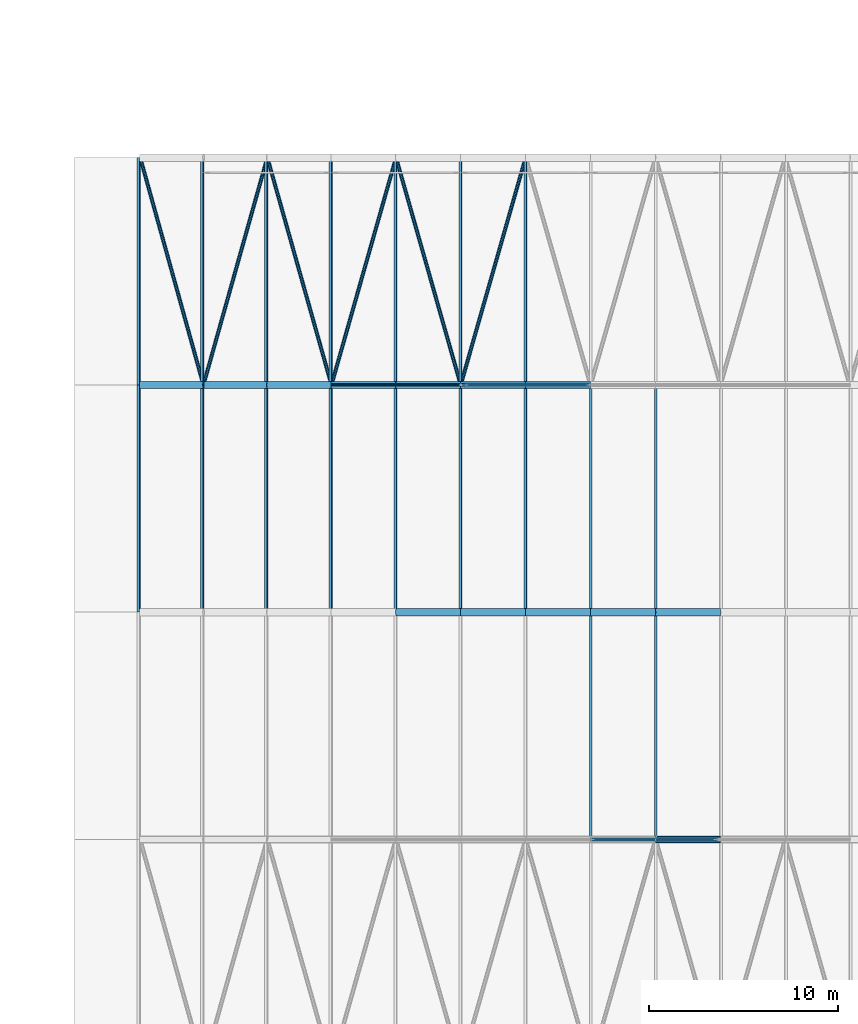
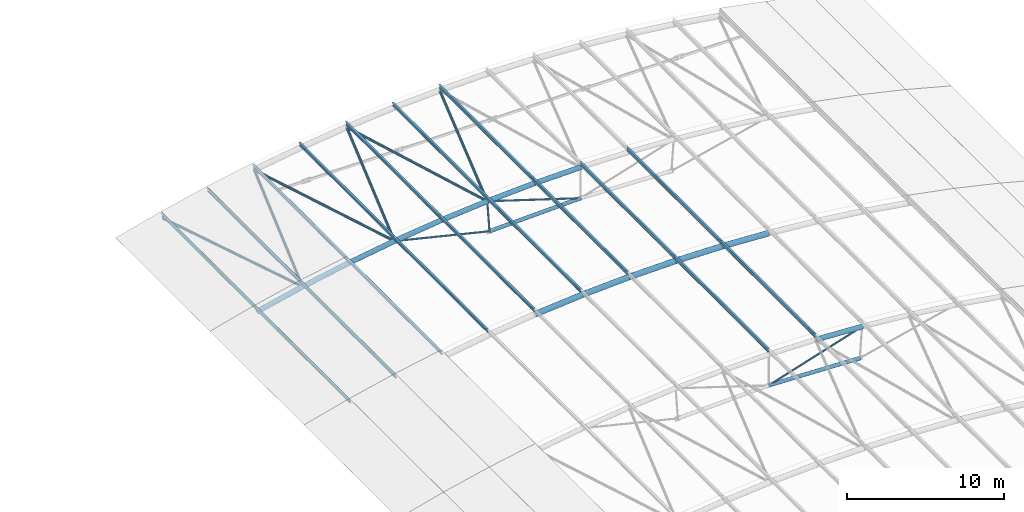
# One storey, part 39 of 91: 43 members.
"""IFC4 building model written with IfcOpenShell, lengths in metres."""

from ifc_helpers import new_model, si_unit, direction, frame, origin, origin_2d, place, context, subcontext, project, spatial, hollow_circle, i_section, extrude, material, material_profile, profile_set, type_object, element, save


model = new_model("IFC4")

# Units and contexts
model_context = context("Model", 3, precision=1e-05, world=origin(), true_north=direction((0.0, 1.0)))
body_context = subcontext(model_context, "Body", "Model", "MODEL_VIEW")
ifc_project = project(units=[si_unit("LENGTHUNIT", "METRE"), si_unit("AREAUNIT", "SQUARE_METRE"), si_unit("VOLUMEUNIT", "CUBIC_METRE"), si_unit("PLANEANGLEUNIT", "RADIAN"), si_unit("MASSUNIT", "GRAM", prefix="KILO")], contexts=[model_context])

# Site, building, storey
site_placement = place(None, origin())
site = spatial("IfcSite", under=ifc_project, at=site_placement, CompositionType="ELEMENT")
building_placement = place(site_placement, origin())
building = spatial("IfcBuilding", under=site, at=building_placement, Name="Ravi Spectrum Wholesale Market", CompositionType="ELEMENT")
storey_placement = place(building_placement, frame((0.0, 0.0, 16.199951171875)))
storey = spatial("IfcBuildingStorey", under=building, at=storey_placement, Name="ROOF PLANT LEVEL", CompositionType="ELEMENT", Elevation=16.199951171875)

# Members
ifc_material_1 = material(Name="Steel S355", Category="steel")
ifc_material_profile_1 = material_profile(ifc_material_1, hollow_circle(Radius=0.06982421875, WallThickness=0.0048828125, at=origin_2d()))
ifc_profile_set_1 = profile_set([ifc_material_profile_1], Name="Steel S355")
member_type_1 = type_object("IfcMemberType", Name="CHS 139.7x5 brace", PredefinedType="BRACE", material=ifc_profile_set_1)
member_1_placement = place(storey_placement, frame((76.857177734375, 162.0, 2.788818359375), z_axis=(-0.953666273238, 0.0, -0.300866480833), x_axis=(0.0, -1.0, 0.0)))
element("IfcMember", 1, at=member_1_placement, inside=storey, type_object=member_type_1, Name="H1-MB-L02-962", PredefinedType="BRACE", context=body_context, shape_type="SweptSolid", body=[
    extrude(hollow_circle(Radius=0.06982421875, WallThickness=0.0048828125, at=origin_2d()), origin(), (0.0, 0.0, 1.0), 7.1904296875),
])
member_2_placement = place(storey_placement, frame((56.318115234375, 186.0, 2.079833984375), z_axis=(0.97214359809, 0.0, -0.234386059083), x_axis=(0.0, 1.0, 0.0)))
element("IfcMember", 2, at=member_2_placement, inside=storey, type_object=member_type_1, Name="H1-MB-L02-1122", PredefinedType="BRACE", context=body_context, shape_type="SweptSolid", body=[
    extrude(hollow_circle(Radius=0.06982421875, WallThickness=0.0048828125, at=origin_2d()), origin(), (0.0, 0.0, 1.0), 7.190185546875),
])
member_3_placement = place(storey_placement, frame((63.142822265625, 186.0, 2.788818359375), z_axis=(0.953666273238, 0.0, -0.300866480833), x_axis=(0.0, 1.0, 0.0)))
element("IfcMember", 3, at=member_3_placement, inside=storey, type_object=member_type_1, Name="H1-MB-L02-1123", PredefinedType="BRACE", context=body_context, shape_type="SweptSolid", body=[
    extrude(hollow_circle(Radius=0.06982421875, WallThickness=0.0048828125, at=origin_2d()), origin(), (0.0, 0.0, 1.0), 7.1904296875),
])
ifc_material_2 = material(Name="Steel S355", Category="steel")
ifc_material_profile_2 = material_profile(ifc_material_2, hollow_circle(Radius=0.06982421875, WallThickness=0.0048828125, at=origin_2d()))
ifc_profile_set_2 = profile_set([ifc_material_profile_2], Name="Steel S355")
member_type_2 = type_object("IfcMemberType", Name="CHS 139.7x5 post", PredefinedType="POST", material=ifc_profile_set_2)
member_4_placement = place(storey_placement, frame((63.142822265625, 186.0, 2.788818359375), z_axis=(0.068868423963, 0.0, -0.997625751563), x_axis=(0.0, 1.0, 0.0)))
element("IfcMember", 4, at=member_4_placement, inside=storey, type_object=member_type_2, Name="H1-MB-L02-1112", PredefinedType="POST", context=body_context, shape_type="SweptSolid", body=[
    extrude(hollow_circle(Radius=0.06982421875, WallThickness=0.0048828125, at=origin_2d()), origin(), (0.0, 0.0, 1.0), 2.39990234375),
])
ifc_material_3 = material(Name="Steel S355", Category="steel")
ifc_material_profile_3 = material_profile(ifc_material_3, hollow_circle(Radius=0.096923828125, WallThickness=0.00634765625, at=origin_2d()))
ifc_profile_set_3 = profile_set([ifc_material_profile_3], Name="Steel S355")
member_type_3 = type_object("IfcMemberType", Name="CHS 193.7x6.3 brace", PredefinedType="BRACE", material=ifc_profile_set_3)
member_5_placement = place(storey_placement, frame((46.21923828125, 198.0, 0.114501953125), z_axis=(0.267558016602, -0.961471825707, 0.063123974234), x_axis=(0.963393127067, 0.268092675619, 0.0)))
element("IfcMember", 5, at=member_5_placement, inside=storey, type_object=member_type_3, Name="H1-MB-L02-1709", PredefinedType="BRACE", context=body_context, shape_type="SweptSolid", body=[
    extrude(hollow_circle(Radius=0.096923828125, WallThickness=0.00634765625, at=origin_2d()), origin(), (0.0, 0.0, 1.0), 12.48095703125),
])
for number, where, z_axis, x_axis, name in (
    (6, (49.55859375, 186.0, 0.90234375), (0.270336560063, 0.961474862535, 0.049842080683), (-0.962671356068, 0.270672976499, 0.0), "H1-MB-L02-1710"),
    (7, (52.9326171875, 198.0, 1.5244140625), (0.271256737802, -0.961477693548, 0.044501988786), (0.962431178207, 0.271525739506, 0.0), "H1-MB-L02-1711"),
    (8, (56.318115234375, 186.0, 2.079833984375), (0.273115259603, 0.961478387049, 0.0311025113), (-0.961943775579, 0.273247456759, 0.0), "H1-MB-L02-1712"),
):
    element("IfcMember", number, at=place(storey_placement, frame(where, z_axis=z_axis, x_axis=x_axis)), inside=storey, type_object=member_type_3, Name=name, PredefinedType="BRACE", context=body_context, shape_type="SweptSolid", body=[
        extrude(hollow_circle(Radius=0.096923828125, WallThickness=0.00634765625, at=origin_2d()), origin(), (0.0, 0.0, 1.0), 12.480712890625),
    ])
member_6_placement = place(storey_placement, frame((59.726806640625, 198.0, 2.468017578125), z_axis=(0.273700155863, -0.961471559533, 0.025703402287), x_axis=(0.961789322244, 0.273790612729, 0.0)))
element("IfcMember", 9, at=member_6_placement, inside=storey, type_object=member_type_3, Name="H1-MB-L02-1713", PredefinedType="BRACE", context=body_context, shape_type="SweptSolid", body=[
    extrude(hollow_circle(Radius=0.096923828125, WallThickness=0.00634765625, at=origin_2d()), origin(), (0.0, 0.0, 1.0), 12.48095703125),
])
member_7_placement = place(storey_placement, frame((63.142822265625, 186.0, 2.788818359375), z_axis=(0.274620635621, 0.961475424321, 0.012186669705), x_axis=(-0.961546828996, 0.274641030523, 0.0)))
element("IfcMember", 10, at=member_7_placement, inside=storey, type_object=member_type_3, Name="H1-MB-L02-1714", PredefinedType="BRACE", context=body_context, shape_type="SweptSolid", body=[
    extrude(hollow_circle(Radius=0.096923828125, WallThickness=0.00634765625, at=origin_2d()), origin(), (0.0, 0.0, 1.0), 12.480712890625),
])
ifc_material_4 = material(Name="Steel S355", Category="steel")
ifc_material_profile_4 = material_profile(ifc_material_4, hollow_circle(Radius=0.136474609375, WallThickness=0.010009765625, at=origin_2d()))
ifc_profile_set_4 = profile_set([ifc_material_profile_4], Name="Steel S355")
member_type_4 = type_object("IfcMemberType", Name="CHS 273x10 chord", PredefinedType="CHORD", material=ifc_profile_set_4)
for number, where, z_axis, x_axis, name in (
    (11, (70.0, 162.0, 0.62548828125), (0.999404959621, 0.0, -0.034492414878), (0.0, 1.0, 0.0), "H1-MB-L02-940"),
    (12, (63.30810546875, 186.0, 0.39453125), (0.999404959621, 0.0, 0.034492414878), (0.0, 1.0, 0.0), "H1-MB-L02-1101"),
):
    element("IfcMember", number, at=place(storey_placement, frame(where, z_axis=z_axis, x_axis=x_axis)), inside=storey, type_object=member_type_4, Name=name, PredefinedType="CHORD", context=body_context, shape_type="SweptSolid", body=[
        extrude(hollow_circle(Radius=0.136474609375, WallThickness=0.010009765625, at=origin_2d()), origin(), (0.0, 0.0, 1.0), 6.69580078125),
    ])
ifc_material_5 = material(Name="Steel S355", Category="steel")
ifc_material_profile_5 = material_profile(ifc_material_5, hollow_circle(Radius=0.177734375, WallThickness=0.012451171875, at=origin_2d()))
ifc_profile_set_5 = profile_set([ifc_material_profile_5], Name="Steel S355")
member_type_5 = type_object("IfcMemberType", Name="CHS 355.6x12.5 chord", PredefinedType="CHORD", material=ifc_profile_set_5)
member_8_placement = place(storey_placement, frame((73.4306640625, 162.0, 2.96630859375), z_axis=(0.998661121681, 0.0, -0.051729721087), x_axis=(0.0, 1.0, 0.0)))
element("IfcMember", 13, at=member_8_placement, inside=storey, type_object=member_type_5, Name="H1-MB-L02-923", PredefinedType="CHORD", context=body_context, shape_type="SweptSolid", body=[
    extrude(hollow_circle(Radius=0.177734375, WallThickness=0.012451171875, at=origin_2d()), origin(), (0.0, 0.0, 1.0), 3.43115234375),
])
member_9_placement = place(storey_placement, frame((46.213134765625, 186.0, 0.13916015625), z_axis=(0.974952916083, 0.0, 0.222411356322), x_axis=(0.0, 1.0, 0.0)))
element("IfcMember", 14, at=member_9_placement, inside=storey, type_object=member_type_5, Name="H1-MB-L02-1077", PredefinedType="CHORD", context=body_context, shape_type="SweptSolid", body=[
    extrude(hollow_circle(Radius=0.177734375, WallThickness=0.012451171875, at=origin_2d()), origin(), (0.0, 0.0, 1.0), 3.431396484375),
])
for number, where, z_axis, x_axis, name in (
    (15, (49.55859375, 186.0, 0.90234375), (0.982062230733, 0.0, 0.188557086759), (0.0, 1.0, 0.0), "H1-MB-L02-1078"),
    (16, (52.92822265625, 186.0, 1.54931640625), (0.987974358509, 0.0, 0.154617809221), (0.0, 1.0, 0.0), "H1-MB-L02-1079"),
    (17, (56.318115234375, 186.0, 2.079833984375), (0.992718062095, 0.0, 0.120460986176), (0.0, 1.0, 0.0), "H1-MB-L02-1080"),
    (18, (59.724365234375, 186.0, 2.4931640625), (0.996280795756, 0.0, 0.086165979407), (0.0, 1.0, 0.0), "H1-MB-L02-1081"),
    (19, (63.142822265625, 186.0, 2.788818359375), (0.998661121681, 0.0, 0.051729721087), (0.0, 1.0, 0.0), "H1-MB-L02-1082"),
    (20, (66.5693359375, 186.0, 2.96630859375), (0.99985173868, 0.0, 0.017219194475), (0.0, 1.0, 0.0), "H1-MB-L02-1083"),
):
    element("IfcMember", number, at=place(storey_placement, frame(where, z_axis=z_axis, x_axis=x_axis)), inside=storey, type_object=member_type_5, Name=name, PredefinedType="CHORD", context=body_context, shape_type="SweptSolid", body=[
        extrude(hollow_circle(Radius=0.177734375, WallThickness=0.012451171875, at=origin_2d()), origin(), (0.0, 0.0, 1.0), 3.43115234375),
    ])
ifc_material_6 = material(Name="Steel S355", Category="steel")
ifc_material_profile_6 = material_profile(ifc_material_6, hollow_circle(Radius=0.203125, WallThickness=0.01611328125, at=origin_2d()))
ifc_profile_set_6 = profile_set([ifc_material_profile_6], Name="Steel S355")
member_type_6 = type_object("IfcMemberType", Name="CHS 406.4x16 chord", PredefinedType="CHORD", material=ifc_profile_set_6)
for number, where, z_axis, x_axis, name in (
    (21, (59.726806640625, 174.0, 2.468017578125), (0.99628531868, 0.0, 0.086113667805), (0.0, 1.0, 0.0), "H1-MB-L02-982"),
    (22, (63.14453125, 174.0, 2.763427734375), (0.998660550273, 0.0, 0.051740751144), (0.0, 1.0, 0.0), "H1-MB-L02-983"),
):
    element("IfcMember", number, at=place(storey_placement, frame(where, z_axis=z_axis, x_axis=x_axis)), inside=storey, type_object=member_type_6, Name=name, PredefinedType="CHORD", context=body_context, shape_type="SweptSolid", body=[
        extrude(hollow_circle(Radius=0.203125, WallThickness=0.01611328125, at=origin_2d()), origin(), (0.0, 0.0, 1.0), 3.430419921875),
    ])
for number, where, z_axis, x_axis, name in (
    (23, (66.5703125, 174.0, 2.94091796875), (0.999851654256, 0.0, 0.01722409598), (0.0, 1.0, 0.0), "H1-MB-L02-984"),
    (24, (70.0, 174.0, 3.0), (0.999851654256, 0.0, -0.01722409598), (0.0, 1.0, 0.0), "H1-MB-L02-985"),
):
    element("IfcMember", number, at=place(storey_placement, frame(where, z_axis=z_axis, x_axis=x_axis)), inside=storey, type_object=member_type_6, Name=name, PredefinedType="CHORD", context=body_context, shape_type="SweptSolid", body=[
        extrude(hollow_circle(Radius=0.203125, WallThickness=0.01611328125, at=origin_2d()), origin(), (0.0, 0.0, 1.0), 3.43017578125),
    ])
member_10_placement = place(storey_placement, frame((73.4296875, 174.0, 2.94091796875), z_axis=(0.998660550273, 0.0, -0.051740751144), x_axis=(0.0, 1.0, 0.0)))
element("IfcMember", 25, at=member_10_placement, inside=storey, type_object=member_type_6, Name="H1-MB-L02-986", PredefinedType="CHORD", context=body_context, shape_type="SweptSolid", body=[
    extrude(hollow_circle(Radius=0.203125, WallThickness=0.01611328125, at=origin_2d()), origin(), (0.0, 0.0, 1.0), 3.430419921875),
])
ifc_material_7 = material(Name="Steel S355", Category="steel")
ifc_material_profile_7 = material_profile(ifc_material_7, i_section(OverallWidth=0.135009765625, OverallDepth=0.27001953125, WebThickness=0.006591796875, FlangeThickness=0.01025390625, at=origin_2d()))
ifc_profile_set_7 = profile_set([ifc_material_profile_7], Name="Steel S355")
member_type_7 = type_object("IfcMemberType", Name="IPE 270 purlin", PredefinedType="PURLIN", material=ifc_profile_set_7)
for number, where, z_axis, x_axis, name in (
    (26, (70.0, 162.0, 3.338134765625), (0.0, 1.0, 0.0), (-1.0, 0.0, 0.0), "H1-MB-L02-1521"),
    (27, (73.44140625, 162.0, 3.27880859375), (0.0, 1.0, 0.0), (-0.999404978812, 0.0, 0.034491858836), "H1-MB-L02-1522"),
    (28, (46.138427734375, 174.0, 0.44287109375), (0.0, 1.0, 0.0), (-0.970982506107, 0.0, -0.239150523382), "H1-MB-L02-1539"),
    (29, (49.494140625, 174.0, 1.208251953125), (0.0, 1.0, 0.0), (-0.978653497036, 0.0, -0.205517232221), "H1-MB-L02-1540"),
    (30, (52.87451171875, 174.0, 1.857666015625), (0.0, 1.0, 0.0), (-0.985159848831, 0.0, -0.171639366844), "H1-MB-L02-1541"),
    (31, (56.275146484375, 174.0, 2.3896484375), (0.0, 1.0, 0.0), (-0.99049381866, 0.0, -0.137557243347), "H1-MB-L02-1542"),
    (32, (59.69189453125, 174.0, 2.804443359375), (0.0, 1.0, 0.0), (-0.994649057067, 0.0, -0.103311438261), "H1-MB-L02-1543"),
    (33, (63.12109375, 174.0, 3.100830078125), (0.0, 1.0, 0.0), (-0.997620623348, 0.0, -0.068942670899), "H1-MB-L02-1544"),
    (34, (66.55859375, 174.0, 3.27880859375), (0.0, 1.0, 0.0), (-0.999404978812, 0.0, -0.034491858836), "H1-MB-L02-1545"),
    (35, (70.0, 174.0, 3.338134765625), (0.0, 1.0, 0.0), (-1.0, 0.0, 0.0), "H1-MB-L02-1546"),
    (36, (73.44140625, 174.0, 3.27880859375), (0.0, 1.0, 0.0), (-0.999404978812, 0.0, 0.034491858836), "H1-MB-L02-1547"),
    (37, (46.138427734375, 186.0, 0.44287109375), (0.0, 1.0, 0.0), (-0.970982506107, 0.0, -0.239150523382), "H1-MB-L02-1564"),
    (38, (49.494140625, 186.0, 1.208251953125), (0.0, 1.0, 0.0), (-0.978653497036, 0.0, -0.205517232221), "H1-MB-L02-1565"),
    (39, (52.87451171875, 186.0, 1.857666015625), (0.0, 1.0, 0.0), (-0.985159848831, 0.0, -0.171639366844), "H1-MB-L02-1566"),
    (40, (56.275146484375, 186.0, 2.3896484375), (0.0, 1.0, 0.0), (-0.99049381866, 0.0, -0.137557243347), "H1-MB-L02-1567"),
    (41, (59.69189453125, 186.0, 2.804443359375), (0.0, 1.0, 0.0), (-0.994649057067, 0.0, -0.103311438261), "H1-MB-L02-1568"),
    (42, (63.12109375, 186.0, 3.100830078125), (0.0, 1.0, 0.0), (-0.997620623348, 0.0, -0.068942670899), "H1-MB-L02-1569"),
    (43, (66.55859375, 186.0, 3.27880859375), (0.0, 1.0, 0.0), (-0.999404978812, 0.0, -0.034491858836), "H1-MB-L02-1570"),
):
    element("IfcMember", number, at=place(storey_placement, frame(where, z_axis=z_axis, x_axis=x_axis)), inside=storey, type_object=member_type_7, Name=name, PredefinedType="PURLIN", context=body_context, shape_type="SweptSolid", body=[
        extrude(i_section(OverallWidth=0.135009765625, OverallDepth=0.27001953125, WebThickness=0.006591796875, FlangeThickness=0.01025390625, at=origin_2d()), origin(), (0.0, 0.0, 1.0), 12.0),
    ])

save(model, "model.ifc")
